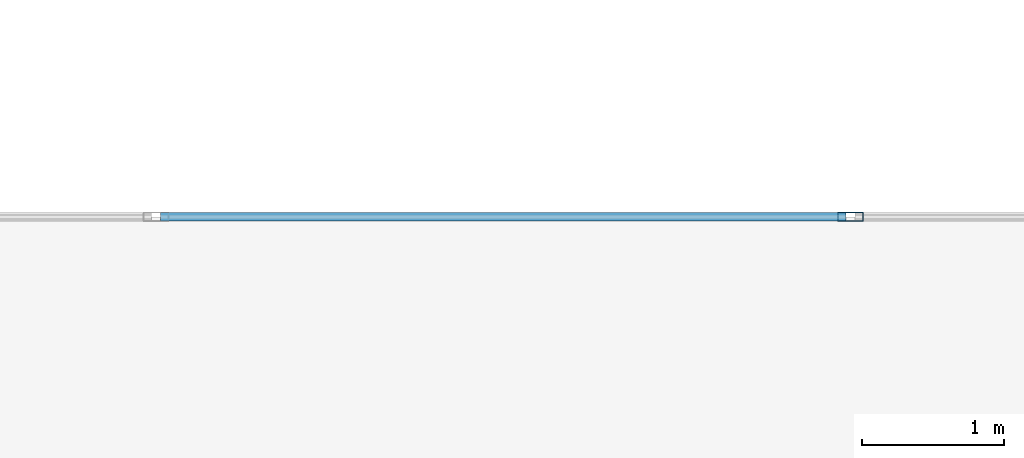
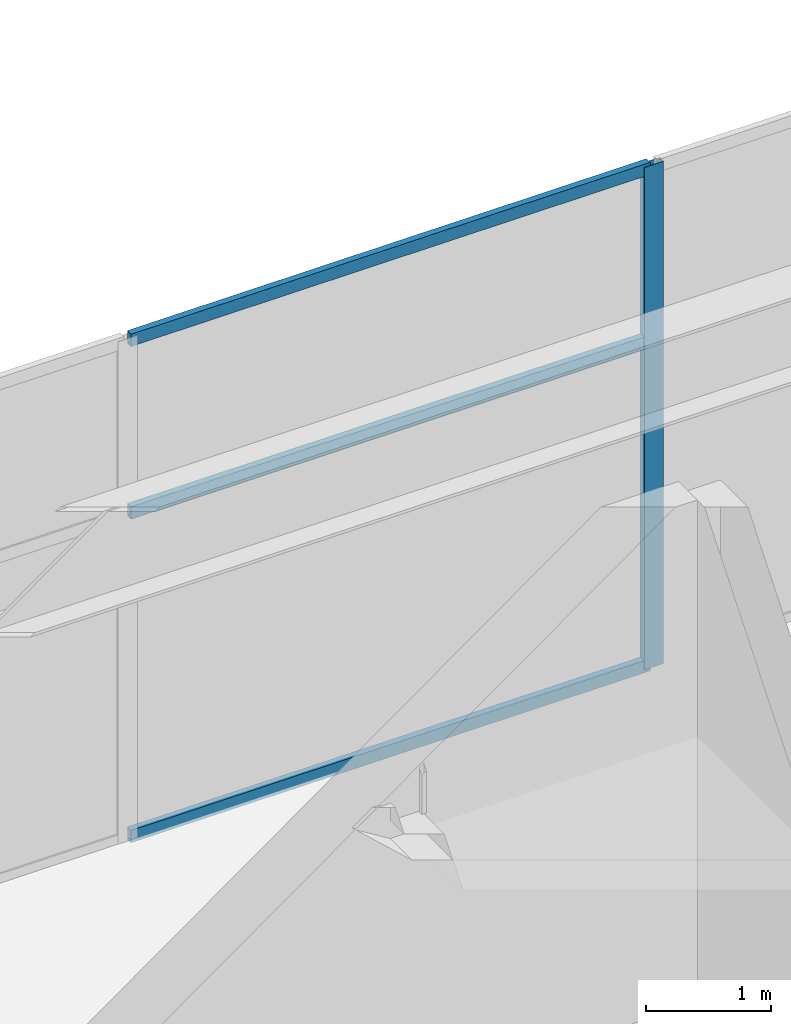
# One storey, part 16 of 29: 4 members, 1 element without a shape of its own.
"""IFC4 building model written with IfcOpenShell, lengths in metres."""

from ifc_helpers import new_model, si_unit, direction, frame, origin, origin_2d, place, context, subcontext, project, spatial, hollow_rectangle, extrude, material, layer, layer_set, material_profile, profile_set, type_object, element, aggregate, save


model = new_model("IFC4")

# Units and contexts
model_context = context("Model", 3, precision=1e-05, world=origin(), true_north=direction((0.0, 1.0)))
body_context = subcontext(model_context, "Body", "Model", "MODEL_VIEW")
ifc_project = project(units=[si_unit("LENGTHUNIT", "METRE"), si_unit("AREAUNIT", "SQUARE_METRE"), si_unit("VOLUMEUNIT", "CUBIC_METRE"), si_unit("PLANEANGLEUNIT", "RADIAN"), si_unit("MASSUNIT", "GRAM", prefix="KILO")], contexts=[model_context])

# Site, building, storey
site_placement = place(None, origin())
site = spatial("IfcSite", under=ifc_project, at=site_placement, CompositionType="ELEMENT")
building_placement = place(site_placement, origin())
building = spatial("IfcBuilding", under=site, at=building_placement, Name="Mawjaban Terraces University", CompositionType="ELEMENT")
storey_placement = place(building_placement, frame((0.0, 0.0, 15.60009765625)))
storey = spatial("IfcBuildingStorey", under=building, at=storey_placement, Name="L03", CompositionType="ELEMENT", Elevation=15.60009765625)

# Curtain wall, members
ifc_material_1 = material(Name="Anodised aluminium 6063-T6 and solar-control low-E glass", Category="aluminium")
ifc_layer = layer(ifc_material_1, 0.175048828125)
ifc_layer_set = layer_set([ifc_layer], Name="Anodised aluminium 6063-T6 and solar-control low-E glass")
curtain_wall_type = type_object("IfcCurtainWallType", Name="CWSystem_02_PodiumLibrary", PredefinedType="NOTDEFINED", material=ifc_layer_set)
curtain_wall_placement = place(storey_placement, origin())
curtain_wall = element("IfcCurtainWall", 1, at=curtain_wall_placement, inside=storey, type_object=curtain_wall_type, Name="L03 Curtain Wall CW-02 Run 5.1", PredefinedType="NOTDEFINED")
ifc_material_2 = material(Name="Anodised aluminium 6063-T6", Category="aluminium")
ifc_material_profile_1 = material_profile(ifc_material_2, hollow_rectangle(XDim=0.06494140625, YDim=0.179931640625, WallThickness=0.00390625, at=origin_2d()), Name="ALU180X65X4")
ifc_profile_set_1 = profile_set([ifc_material_profile_1], Name="Anodised aluminium 6063-T6")
member_type_1 = type_object("IfcMemberType", Name="Mullion_CW-02", PredefinedType="MULLION", material=ifc_profile_set_1)
member_1_placement = place(storey_placement, frame((68.625, 32.0, 0.0), z_axis=(0.0, 0.0, 1.0), x_axis=(0.0, -1.0, 0.0)))
member_1 = element("IfcMember", 2, at=member_1_placement, type_object=member_type_1, Name="CW-02 mullion 2", PredefinedType="MULLION", context=body_context, shape_type="SweptSolid", body=[
    extrude(hollow_rectangle(XDim=0.06494140625, YDim=0.179931640625, WallThickness=0.00390625, at=origin_2d()), origin(), (0.0, 0.0, 1.0), 4.919921875),
])
ifc_material_profile_2 = material_profile(ifc_material_2, hollow_rectangle(XDim=0.06005859375, YDim=0.1201171875, WallThickness=0.00341796875, at=origin_2d()), Name="ALU120X60X3.5")
ifc_profile_set_2 = profile_set([ifc_material_profile_2], Name="Anodised aluminium 6063-T6")
member_type_2 = type_object("IfcMemberType", Name="Transom_CW-02", PredefinedType="NOTDEFINED", material=ifc_profile_set_2)
member_2_placement = place(storey_placement, frame((68.592529296875, 32.0, 0.02978515625), z_axis=(-1.0, 0.0, 0.0), x_axis=(0.0, -1.0, 0.0)))
member_2 = element("IfcMember", 3, at=member_2_placement, type_object=member_type_2, Name="CW-02 transom 2.1", ObjectType="TRANSOM", PredefinedType="USERDEFINED", context=body_context, shape_type="SweptSolid", body=[
    extrude(hollow_rectangle(XDim=0.06005859375, YDim=0.1201171875, WallThickness=0.00341796875, at=origin_2d()), origin(), (0.0, 0.0, 1.0), 4.81005859375),
])
member_3_placement = place(storey_placement, frame((68.592529296875, 32.0, 3.197998046875), z_axis=(-1.0, 0.0, 0.0), x_axis=(0.0, -1.0, 0.0)))
member_3 = element("IfcMember", 4, at=member_3_placement, type_object=member_type_2, Name="CW-02 transom 2.2", ObjectType="TRANSOM", PredefinedType="USERDEFINED", context=body_context, shape_type="SweptSolid", body=[
    extrude(hollow_rectangle(XDim=0.06005859375, YDim=0.1201171875, WallThickness=0.00341796875, at=origin_2d()), origin(), (0.0, 0.0, 1.0), 4.81005859375),
])
member_4_placement = place(storey_placement, frame((68.592529296875, 32.0, 4.889892578125), z_axis=(-1.0, 0.0, 0.0), x_axis=(0.0, -1.0, 0.0)))
member_4 = element("IfcMember", 5, at=member_4_placement, type_object=member_type_2, Name="CW-02 transom 2.3", ObjectType="TRANSOM", PredefinedType="USERDEFINED", context=body_context, shape_type="SweptSolid", body=[
    extrude(hollow_rectangle(XDim=0.06005859375, YDim=0.1201171875, WallThickness=0.00341796875, at=origin_2d()), origin(), (0.0, 0.0, 1.0), 4.81005859375),
])
aggregate(curtain_wall, [member_1, member_2, member_3, member_4])

save(model, "model.ifc")
